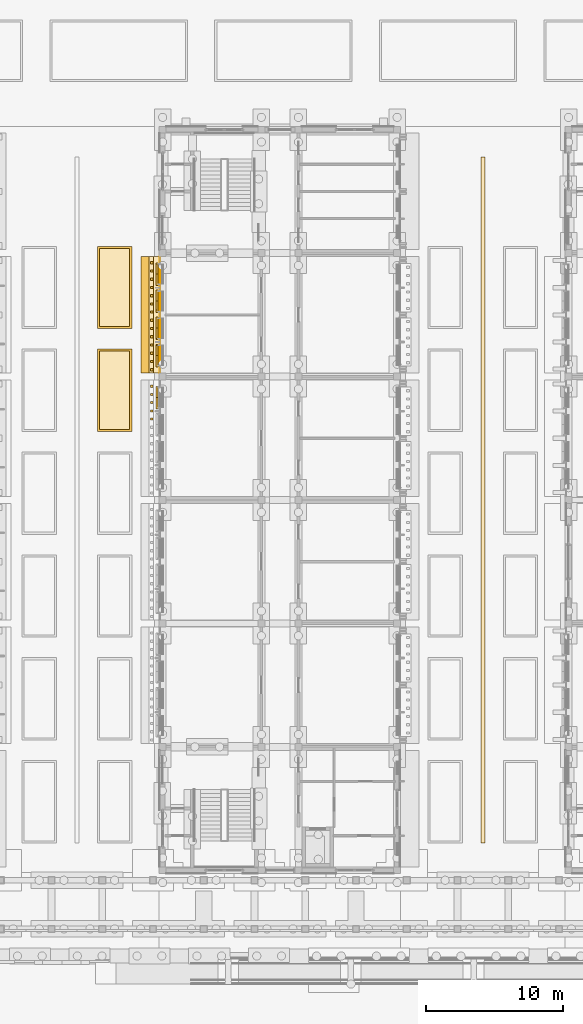
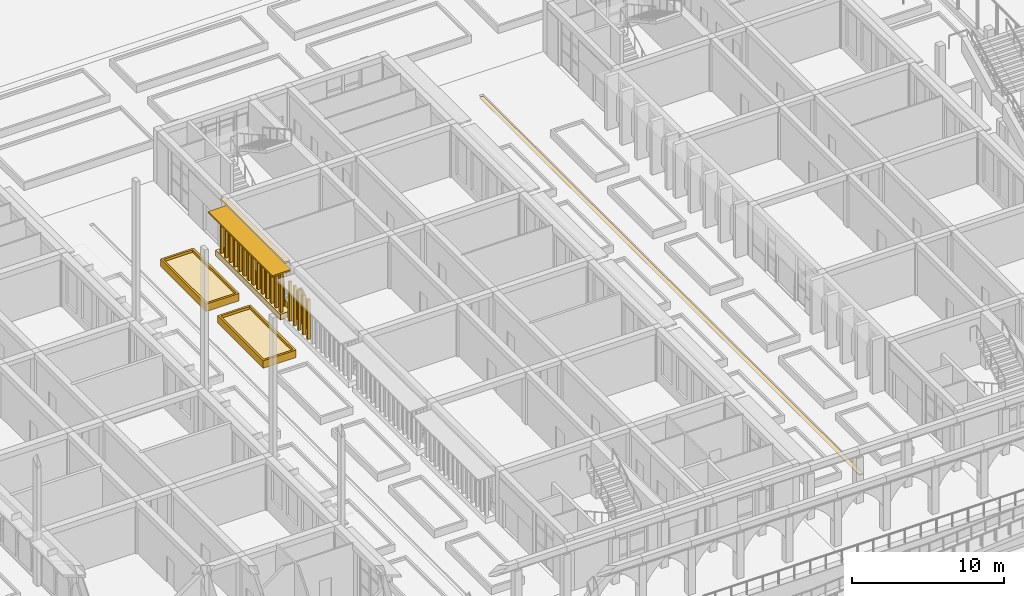
# One storey, part 131 of 161: 27 coverings, 6 shading devices.
"""IFC4 building model written with IfcOpenShell, lengths in metres."""

from ifc_helpers import new_model, si_unit, direction, frame, origin, origin_2d, place, context, subcontext, project, spatial, polyline, rectangle, outline, extrude, material, layer, layer_set, type_object, element, save


model = new_model("IFC4")

# Units and contexts
model_context = context("Model", 3, precision=1e-05, world=origin(), true_north=direction((0.0, 1.0)))
body_context = subcontext(model_context, "Body", "Model", "MODEL_VIEW")
ifc_project = project(units=[si_unit("LENGTHUNIT", "METRE"), si_unit("AREAUNIT", "SQUARE_METRE"), si_unit("VOLUMEUNIT", "CUBIC_METRE"), si_unit("PLANEANGLEUNIT", "RADIAN"), si_unit("MASSUNIT", "GRAM", prefix="KILO")], contexts=[model_context])

# Site, building, storey
site_placement = place(None, origin())
site = spatial("IfcSite", under=ifc_project, at=site_placement, CompositionType="ELEMENT")
building_placement = place(site_placement, origin())
building = spatial("IfcBuilding", under=site, at=building_placement, Name="Elbe Cascade School", CompositionType="ELEMENT")
storey_placement = place(building_placement, origin())
storey = spatial("IfcBuildingStorey", under=building, at=storey_placement, Name="L00", CompositionType="ELEMENT", Elevation=0.0)

# Shading devices
ifc_material_1 = material(Name="Precast concrete C30/37", Category="concrete")
ifc_layer_1 = layer(ifc_material_1, 0.1201171875)
ifc_layer_set_1 = layer_set([ifc_layer_1], Name="Precast concrete C30/37")
shading_device_type_1 = type_object("IfcShadingDeviceType", Name="Bars envelope Chhajja eave, precast concrete, 1400 x 120", PredefinedType="USERDEFINED", material=ifc_layer_set_1)
shading_device_1_placement = place(storey_placement, frame((127.320068359375, 46.5, 3.6298828125), z_axis=(0.0, 0.0, 1.0), x_axis=(0.0, 1.0, 0.0)))
element("IfcShadingDevice", 1, at=shading_device_1_placement, inside=storey, type_object=shading_device_type_1, Name="Chhajja eave SD8 C.L00.w5", ObjectType="CHHAJJA", PredefinedType="USERDEFINED", context=body_context, shape_type="SweptSolid", body=[
    extrude(rectangle(XDim=8.5, YDim=1.39990234375, at=origin_2d()), origin(), (0.0, 0.0, 1.0), 0.1201171875),
])
ifc_material_2 = material(Name="Precast concrete C40/50", Category="concrete")
ifc_layer_2 = layer(ifc_material_2, 0.10009765625)
ifc_layer_set_2 = layer_set([ifc_layer_2], Name="Precast concrete C40/50")
shading_device_type_2 = type_object("IfcShadingDeviceType", Name="Bars envelope Jali screen 1600 x 2840, pointed arch rise 1200, pierced precast concrete", PredefinedType="USERDEFINED", material=ifc_layer_set_2)
shading_device_2_placement = place(storey_placement, frame((127.739990234375, 39.669921875, 2.239990234375), z_axis=(-1.0, 0.0, 0.0), x_axis=(0.0, 0.196300278283, 0.98054382908)))
element("IfcShadingDevice", 2, at=shading_device_2_placement, inside=storey, type_object=shading_device_type_2, Name="Jali screen SD3 C.L00.w4.4", ObjectType="JALI", PredefinedType="USERDEFINED", context=body_context, shape_type="SweptSolid", body=[
    extrude(outline(polyline([(0.0, 0.0), (0.509921112317134, 0.0), (0.7186888708788461, 0.0602894897654897), (0.8735458233318658, 0.1311226852889124), (0.9982874871653163, 0.20823380534668107), (1.102872417131342, 0.2891312241218946), (1.1919448840573539, 0.37338315020117196), (1.2683296500699814, 0.46017509452971084), (1.3336545243794973, 0.5489321924158467), (1.3075801207519657, 0.6562359822289878), (1.270445825421322, 0.7655049255997259), (1.220671754049922, 0.877553277802997), (1.1553372947658807, 0.9927167467270602), (1.069846101614414, 1.1116665143685687), (0.9542396198433787, 1.2368942065444228), (0.7847223319636507, 1.37266560447821), (0.31409961520112845, 1.5689658827607584), (-1.2938869326328684, 1.8908772522001815), (-1.6079865478339967, 0.32191136943942317), (0.0, 0.0)])), origin(), (0.0, 0.0, -1.0), 0.10009765625),
])
shading_device_3_placement = place(storey_placement, frame((127.739990234375, 42.72998046875, 2.239990234375), z_axis=(-1.0, 0.0, 0.0), x_axis=(0.0, 0.196300278283, 0.98054382908)))
element("IfcShadingDevice", 3, at=shading_device_3_placement, inside=storey, type_object=shading_device_type_2, Name="Jali screen SD3 C.L00.w5.1", ObjectType="JALI", PredefinedType="USERDEFINED", context=body_context, shape_type="SweptSolid", body=[
    extrude(outline(polyline([(0.0, 0.0), (0.509921112317134, 0.0), (0.7186409460062186, 0.06005009918221829), (0.8735458233318658, 0.1311226852889124), (0.9982395622926888, 0.20799441476340969), (1.102872417131342, 0.2891312241218946), (1.1919448840573539, 0.37338315020117196), (1.268281725197354, 0.45993570394643946), (1.3336545243794973, 0.5489321924158467), (1.3075321958793382, 0.6559965916457164), (1.270445825421322, 0.7655049255997259), (1.220671754049922, 0.877553277802997), (1.155289369893253, 0.9924773561437888), (1.069846101614414, 1.1116665143685687), (0.9541916949707512, 1.2366548159611515), (0.7847223319636507, 1.37266560447821), (0.31409961520112845, 1.5689658827607584), (-1.2938869326328684, 1.8908772522001815), (-1.6079865478339967, 0.32191136943942317), (0.0, 0.0)])), origin(), (0.0, 0.0, -1.0), 0.10009765625),
])
for number, where, z_axis, x_axis, name in (
    (4, (127.739990234375, 44.7099609375, 2.239990234375), (-1.0, 0.0, 0.0), (0.0, 0.196300278283, 0.98054382908), "Jali screen SD3 C.L00.w5.2"),
    (5, (127.739990234375, 46.68994140625, 2.239990234375), (-1.0, 0.0, 0.0), (0.0, 0.196300278283, 0.98054382908), "Jali screen SD3 C.L00.w5.3"),
):
    element("IfcShadingDevice", number, at=place(storey_placement, frame(where, z_axis=z_axis, x_axis=x_axis)), inside=storey, type_object=shading_device_type_2, Name=name, ObjectType="JALI", PredefinedType="USERDEFINED", context=body_context, shape_type="SweptSolid", body=[
        extrude(outline(polyline([(0.0, 0.0), (0.509921112317134, 0.0), (0.7186409460062186, 0.06005009918221829), (0.8735458233318658, 0.1311226852889124), (0.9982874871653163, 0.20823380534668107), (1.102872417131342, 0.2891312241218946), (1.1919448840573539, 0.37338315020117196), (1.268281725197354, 0.45993570394643946), (1.3336545243794973, 0.5489321924158467), (1.3075801207519657, 0.6562359822289878), (1.270445825421322, 0.7655049255997259), (1.220671754049922, 0.877553277802997), (1.155289369893253, 0.9924773561437888), (1.069846101614414, 1.1116665143685687), (0.9542396198433787, 1.2368942065444228), (0.7847223319636507, 1.37266560447821), (0.31409961520112845, 1.5689658827607584), (-1.2938869326328684, 1.8908772522001815), (-1.6079865478339967, 0.32191136943942317), (0.0, 0.0)])), origin(), (0.0, 0.0, -1.0), 0.10009765625),
    ])
shading_device_4_placement = place(storey_placement, frame((127.739990234375, 48.669921875, 2.239990234375), z_axis=(-1.0, 0.0, 0.0), x_axis=(0.0, 0.196300278283, 0.98054382908)))
element("IfcShadingDevice", 6, at=shading_device_4_placement, inside=storey, type_object=shading_device_type_2, Name="Jali screen SD3 C.L00.w5.4", ObjectType="JALI", PredefinedType="USERDEFINED", context=body_context, shape_type="SweptSolid", body=[
    extrude(outline(polyline([(0.0, 0.0), (0.509921112317134, 0.0), (0.7186888708788461, 0.0602894897654897), (0.8735458233318658, 0.1311226852889124), (0.9982874871653163, 0.20823380534668107), (1.102872417131342, 0.2891312241218946), (1.1919448840573539, 0.37338315020117196), (1.2683296500699814, 0.46017509452971084), (1.3336545243794973, 0.5489321924158467), (1.3075801207519657, 0.6562359822289878), (1.270445825421322, 0.7655049255997259), (1.220671754049922, 0.877553277802997), (1.1553372947658807, 0.9927167467270602), (1.069846101614414, 1.1116665143685687), (0.9542396198433787, 1.2368942065444228), (0.7847223319636507, 1.37266560447821), (0.31409961520112845, 1.5689658827607584), (-1.2938869326328684, 1.8908772522001815), (-1.6079865478339967, 0.32191136943942317), (0.0, 0.0)])), origin(), (0.0, 0.0, -1.0), 0.10009765625),
])

# Coverings
ifc_material_3 = material(Name="Sandstone - red", Category="masonry")
ifc_layer_3 = layer(ifc_material_3, 0.0400390625)
ifc_layer_set_3 = layer_set([ifc_layer_3], Name="Sandstone - red")
covering_type_1 = type_object("IfcCoveringType", Name="Bars envelope Sandstone cladding, red, 40 mm", PredefinedType="CLADDING", material=ifc_layer_set_3)
covering_1_placement = place(storey_placement, frame((128.0, 46.5, 0.0), z_axis=(0.0, 0.0, 1.0), x_axis=(0.0, 1.0, 0.0)))
element("IfcCovering", 7, at=covering_1_placement, inside=storey, type_object=covering_type_1, Name="Sandstone cladding CV48 C.L00.w.5.1", PredefinedType="CLADDING", context=body_context, shape_type="SweptSolid", body=[
    extrude(rectangle(XDim=8.5, YDim=0.0400390625, at=origin_2d()), origin(), (0.0, 0.0, 1.0), 0.89990234375),
])
ifc_material_4 = material(Name="Sandstone - red", Category="masonry")
covering_type_2 = type_object("IfcCoveringType", Name="Bars envelope Sandstone floor ledge, 400 deep", PredefinedType="CLADDING", material=ifc_material_4)
covering_2_placement = place(storey_placement, frame((127.75, 46.5, 4.35986328125), z_axis=(0.0, 0.0, 1.0), x_axis=(0.0, 1.0, 0.0)))
element("IfcCovering", 8, at=covering_2_placement, inside=storey, type_object=covering_type_2, Name="Floor ledge CV64 C.L00.w4.1", PredefinedType="CLADDING", context=body_context, shape_type="SweptSolid", body=[
    extrude(rectangle(XDim=8.5, YDim=0.39990234375, at=origin_2d()), origin(), (0.0, 0.0, 1.0), 0.139892578125),
])
ifc_material_5 = material(Name="Sandstone - red", Category="masonry")
covering_type_3 = type_object("IfcCoveringType", Name="Bars envelope Sandstone planter kerb, 750 deep", PredefinedType="CLADDING", material=ifc_material_5)
covering_3_placement = place(storey_placement, frame((127.574951171875, 46.5, 0.0), z_axis=(0.0, 0.0, 1.0), x_axis=(0.0, 1.0, 0.0)))
element("IfcCovering", 9, at=covering_3_placement, inside=storey, type_object=covering_type_3, Name="Planter kerb CV65 C.L00.w4.1", PredefinedType="CLADDING", context=body_context, shape_type="SweptSolid", body=[
    extrude(rectangle(XDim=8.5, YDim=0.75, at=origin_2d()), origin(), (0.0, 0.0, 1.0), 0.449951171875),
])
ifc_material_6 = material(Name="Sandstone - red", Category="masonry")
covering_type_4 = type_object("IfcCoveringType", Name="Bars envelope Sandstone slat, 160 wide, 200 deep", PredefinedType="CLADDING", material=ifc_material_6)
for number, where, z_axis, x_axis, name in (
    (10, (127.39990234375, 38.89990234375, 0.4501953125), (0.0, 0.0, 1.0), (0.0, 1.0, 0.0), "Slat CV66 C.L00.w3.1.10"),
    (11, (127.39990234375, 39.5, 0.4501953125), (0.0, 0.0, 1.0), (0.0, 1.0, 0.0), "Slat CV66 C.L00.w3.1.11"),
    (12, (127.39990234375, 40.10009765625, 0.4501953125), (0.0, 0.0, 1.0), (0.0, 1.0, 0.0), "Slat CV66 C.L00.w3.1.12"),
    (13, (127.39990234375, 40.699951171875, 0.4501953125), (0.0, 0.0, 1.0), (0.0, 1.0, 0.0), "Slat CV66 C.L00.w3.1.13"),
    (14, (127.39990234375, 41.300048828125, 0.4501953125), (0.0, 0.0, 1.0), (0.0, 1.0, 0.0), "Slat CV66 C.L00.w3.1.14"),
    (15, (127.39990234375, 42.5, 0.4501953125), (0.0, 0.0, 1.0), (0.0, 1.0, 0.0), "Slat CV66 C.L00.w4.1.1"),
    (16, (127.39990234375, 43.10009765625, 0.4501953125), (0.0, 0.0, 1.0), (0.0, 1.0, 0.0), "Slat CV66 C.L00.w4.1.2"),
    (17, (127.39990234375, 43.699951171875, 0.4501953125), (0.0, 0.0, 1.0), (0.0, 1.0, 0.0), "Slat CV66 C.L00.w4.1.3"),
    (18, (127.39990234375, 44.300048828125, 0.4501953125), (0.0, 0.0, 1.0), (0.0, 1.0, 0.0), "Slat CV66 C.L00.w4.1.4"),
    (19, (127.39990234375, 44.89990234375, 0.4501953125), (0.0, 0.0, 1.0), (0.0, 1.0, 0.0), "Slat CV66 C.L00.w4.1.5"),
    (20, (127.39990234375, 45.5, 0.4501953125), (0.0, 0.0, 1.0), (0.0, 1.0, 0.0), "Slat CV66 C.L00.w4.1.6"),
    (21, (127.39990234375, 46.10009765625, 0.4501953125), (0.0, 0.0, 1.0), (0.0, 1.0, 0.0), "Slat CV66 C.L00.w4.1.7"),
    (22, (127.39990234375, 46.699951171875, 0.4501953125), (0.0, 0.0, 1.0), (0.0, 1.0, 0.0), "Slat CV66 C.L00.w4.1.8"),
    (23, (127.39990234375, 47.300048828125, 0.4501953125), (0.0, 0.0, 1.0), (0.0, 1.0, 0.0), "Slat CV66 C.L00.w4.1.9"),
    (24, (127.39990234375, 47.89990234375, 0.4501953125), (0.0, 0.0, 1.0), (0.0, 1.0, 0.0), "Slat CV66 C.L00.w4.1.10"),
    (25, (127.39990234375, 48.5, 0.4501953125), (0.0, 0.0, 1.0), (0.0, 1.0, 0.0), "Slat CV66 C.L00.w4.1.11"),
    (26, (127.39990234375, 49.10009765625, 0.4501953125), (0.0, 0.0, 1.0), (0.0, 1.0, 0.0), "Slat CV66 C.L00.w4.1.12"),
    (27, (127.39990234375, 49.699951171875, 0.4501953125), (0.0, 0.0, 1.0), (0.0, 1.0, 0.0), "Slat CV66 C.L00.w4.1.13"),
    (28, (127.39990234375, 50.300048828125, 0.4501953125), (0.0, 0.0, 1.0), (0.0, 1.0, 0.0), "Slat CV66 C.L00.w4.1.14"),
):
    element("IfcCovering", number, at=place(storey_placement, frame(where, z_axis=z_axis, x_axis=x_axis)), inside=storey, type_object=covering_type_4, Name=name, PredefinedType="CLADDING", context=body_context, shape_type="SweptSolid", body=[
        extrude(rectangle(XDim=0.159912109375, YDim=0.199951171875, at=origin_2d()), origin(), (0.0, 0.0, 1.0), 3.179931640625),
    ])
ifc_material_7 = material(Name="Sandstone - red", Category="masonry")
ifc_layer_4 = layer(ifc_material_7, 0.050048828125)
ifc_layer_set_4 = layer_set([ifc_layer_4], Name="Sandstone - red")
covering_type_5 = type_object("IfcCoveringType", Name="Rill lining 50", PredefinedType="USERDEFINED", material=ifc_layer_set_4)
covering_4_placement = place(storey_placement, frame((0.0, 0.0, -0.199951171875)))
element("IfcCovering", 29, at=covering_4_placement, inside=storey, type_object=covering_type_5, Name="Water rill lining court CD", ObjectType="WATER CHANNEL", PredefinedType="USERDEFINED", context=body_context, shape_type="SweptSolid", body=[
    extrude(outline(polyline([(151.39990234375, 8.0), (151.699951171875, 8.0), (151.699951171875, 58.0), (151.39990234375, 58.0), (151.39990234375, 8.0)])), origin(), (0.0, 0.0, 1.0), 0.050048828125),
])
ifc_material_8 = material(Name="Planting - soil and shrubs", Category="soil")
ifc_layer_5 = layer(ifc_material_8, 0.39990234375)
ifc_layer_set_5 = layer_set([ifc_layer_5], Name="Planting - soil and shrubs")
covering_type_6 = type_object("IfcCoveringType", Name="Site planting bed 400", PredefinedType="USERDEFINED", material=ifc_layer_set_5)
covering_5_placement = place(storey_placement, origin())
element("IfcCovering", 30, at=covering_5_placement, inside=storey, type_object=covering_type_6, Name="Court B-C planting bed east 5", ObjectType="PLANTING BED", PredefinedType="USERDEFINED", context=body_context, shape_type="SweptSolid", body=[
    extrude(outline(polyline([(123.60009765625, 38.14990234375), (125.800048828125, 38.14990234375), (125.800048828125, 43.85009765625), (123.60009765625, 43.85009765625), (123.60009765625, 38.14990234375)])), origin(), (0.0, 0.0, 1.0), 0.39990234375),
])
covering_6_placement = place(storey_placement, origin())
element("IfcCovering", 31, at=covering_6_placement, inside=storey, type_object=covering_type_6, Name="Court B-C planting bed east 6", ObjectType="PLANTING BED", PredefinedType="USERDEFINED", context=body_context, shape_type="SweptSolid", body=[
    extrude(outline(polyline([(123.60009765625, 45.64990234375), (125.800048828125, 45.64990234375), (125.800048828125, 51.35009765625), (123.60009765625, 51.35009765625), (123.60009765625, 45.64990234375)])), origin(), (0.0, 0.0, 1.0), 0.39990234375),
])
ifc_material_9 = material(Name="Concrete C30/37 precast kerb", Category="concrete")
ifc_layer_6 = layer(ifc_material_9, 0.14990234375)
ifc_layer_set_6 = layer_set([ifc_layer_6], Name="Concrete C30/37 precast kerb")
covering_type_7 = type_object("IfcCoveringType", Name="Site planting bed kerb 150x600", PredefinedType="CLADDING", material=ifc_layer_set_6)
covering_7_placement = place(storey_placement, origin())
element("IfcCovering", 32, at=covering_7_placement, inside=storey, type_object=covering_type_7, Name="Court B-C planting bed kerb east 5", PredefinedType="CLADDING", context=body_context, shape_type="SweptSolid", body=[
    extrude(outline(polyline([(123.449951171875, 38.0), (125.949951171875, 38.0), (125.949951171875, 44.0), (123.449951171875, 44.0), (123.449951171875, 38.0)]), holes=[polyline([(123.60009765625, 38.14990234375), (125.800048828125, 38.14990234375), (125.800048828125, 43.85009765625), (123.60009765625, 43.85009765625), (123.60009765625, 38.14990234375)])]), origin(), (0.0, 0.0, 1.0), 0.60009765625),
])
covering_8_placement = place(storey_placement, origin())
element("IfcCovering", 33, at=covering_8_placement, inside=storey, type_object=covering_type_7, Name="Court B-C planting bed kerb east 6", PredefinedType="CLADDING", context=body_context, shape_type="SweptSolid", body=[
    extrude(outline(polyline([(123.449951171875, 45.5), (125.949951171875, 45.5), (125.949951171875, 51.5), (123.449951171875, 51.5), (123.449951171875, 45.5)]), holes=[polyline([(123.60009765625, 45.64990234375), (125.800048828125, 45.64990234375), (125.800048828125, 51.35009765625), (123.60009765625, 51.35009765625), (123.60009765625, 45.64990234375)])]), origin(), (0.0, 0.0, 1.0), 0.60009765625),
])

save(model, "model.ifc")
